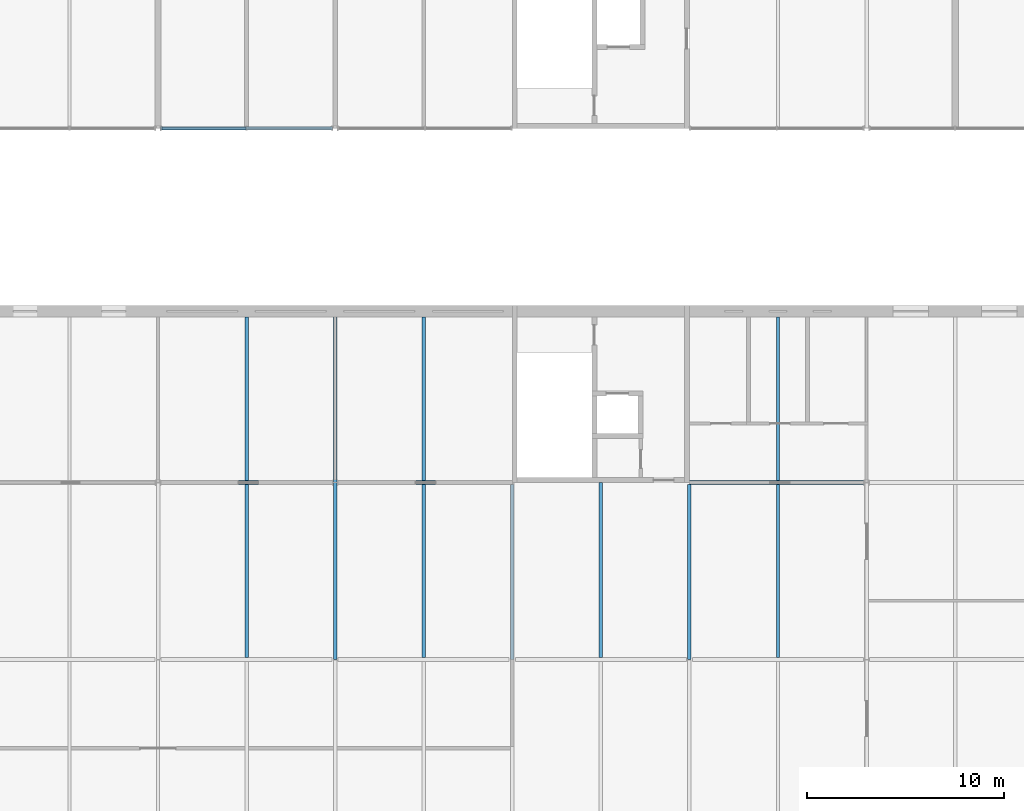
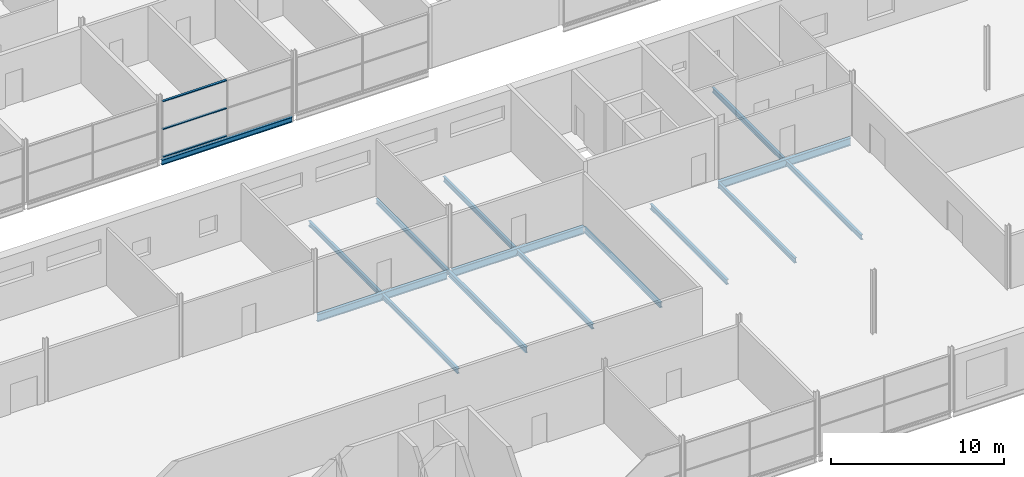
# One storey, part 66 of 138: 15 beams, 3 members, 1 element without a shape of its own.
"""IFC4 building model written with IfcOpenShell, lengths in metres."""

import ifcopenshell
import ifcopenshell.guid

model = None  # the IFC model being written
_history = None  # IfcOwnerHistory: only IFC2X3 demands one
_inside = {}  # id of a spatial element -> (the spatial element, [elements in it])
_under = {}  # id of a project, library or spatial element -> (it, [spatial elements below it])
_declared = {}  # id of a project -> (the project, [libraries it declares])
_typed = {}  # id of a type object -> (the type object, [elements of that type])
_made_of = {}  # id of a material, layer set ... -> (it, [elements and type objects made of it])


def new_model(schema):
    """Start an empty IFC model of exactly this schema.

    Asked for "IFC4X3", IfcOpenShell would pick the latest addendum, in which some entities
    have other attributes; the version numbers below select the first issue.
    IFC2X3 requires an IfcOwnerHistory on every rooted entity: one is made here for all.
    """
    global model, _history
    if schema == "IFC4X3":
        model = ifcopenshell.file(schema_version=(4, 3, 0, 0))
    else:
        model = ifcopenshell.file(schema=schema)
    _inside.clear()
    _under.clear()
    _declared.clear()
    _typed.clear()
    _made_of.clear()
    _history = None
    if model.schema == "IFC2X3":
        org = make("IfcOrganization", Name="unknown")
        user = make(
            "IfcPersonAndOrganization",
            ThePerson=make("IfcPerson", FamilyName="unknown"),
            TheOrganization=org,
        )
        app = make(
            "IfcApplication",
            ApplicationDeveloper=org,
            Version="unknown",
            ApplicationFullName="unknown",
            ApplicationIdentifier="unknown",
        )
        _history = make(
            "IfcOwnerHistory",
            OwningUser=user,
            OwningApplication=app,
            ChangeAction="ADDED",
            CreationDate=0,
        )
    return model


def make(cls, **values):
    """One entity of the class cls with the attributes given. An attribute that is None is left unset."""
    return model.create_entity(
        cls, **{name: value for name, value in values.items() if value is not None}
    )


def rooted(cls, **values):
    """An entity with a GlobalId (a new one), such as an element, a storey or a relation."""
    return make(cls, GlobalId=ifcopenshell.guid.new(), OwnerHistory=_history, **values)


def si_unit(unit_type, name, prefix=None):
    """IfcSIUnit, for example si_unit("LENGTHUNIT", "METRE", prefix="MILLI")."""
    return make("IfcSIUnit", UnitType=unit_type, Prefix=prefix, Name=name)


def assignment(units):
    """IfcUnitAssignment: the units of a project."""
    return None if units is None else make("IfcUnitAssignment", Units=units)


def point(xyz):
    """IfcCartesianPoint."""
    return None if xyz is None else make("IfcCartesianPoint", Coordinates=xyz)


def direction(xyz):
    """IfcDirection."""
    return None if xyz is None else make("IfcDirection", DirectionRatios=xyz)


def frame(location, z_axis=None, x_axis=None):
    """IfcAxis2Placement3D, a coordinate frame: its origin and axes. An axis left out is left unset."""
    return make(
        "IfcAxis2Placement3D",
        Location=point(location),
        Axis=direction(z_axis),
        RefDirection=direction(x_axis),
    )


def frame_2d(location, x_axis=None):
    """IfcAxis2Placement2D, a coordinate frame in the plane: its origin and x axis."""
    return make(
        "IfcAxis2Placement2D", Location=point(location), RefDirection=direction(x_axis)
    )


def origin():
    """The frame at (0, 0, 0) with its axes left unset."""
    return frame((0.0, 0.0, 0.0))


def origin_2d():
    """The frame at (0, 0) in the plane with its x axis left unset."""
    return frame_2d((0.0, 0.0))


def place(relative_to, where):
    """IfcLocalPlacement: puts the frame where relative to a parent placement (None: the world)."""
    return make(
        "IfcLocalPlacement", PlacementRelTo=relative_to, RelativePlacement=where
    )


def context(
    kind, dimensions, precision=None, world=None, true_north=None, identifier=None
):
    """IfcGeometricRepresentationContext, for example the 3D "Model" context."""
    return make(
        "IfcGeometricRepresentationContext",
        ContextIdentifier=identifier,
        ContextType=kind,
        CoordinateSpaceDimension=dimensions,
        Precision=precision,
        WorldCoordinateSystem=world,
        TrueNorth=true_north,
    )


def subcontext(parent, identifier, kind, view, scale=None):
    """IfcGeometricRepresentationSubContext, for example "Body" below "Model"."""
    return make(
        "IfcGeometricRepresentationSubContext",
        ContextIdentifier=identifier,
        ContextType=kind,
        ParentContext=parent,
        TargetScale=scale,
        TargetView=view,
    )


def project(units=None, contexts=None):
    """IfcProject with its units and contexts."""
    return rooted(
        "IfcProject",
        Name="project",
        RepresentationContexts=contexts,
        UnitsInContext=assignment(units),
    )


def spatial(cls, under=None, at=None, **own):
    """A site, building, storey or space (cls), placed at a placement, below another one or the project."""
    s = rooted(cls, ObjectPlacement=at, **own)
    if under is not None:
        _under.setdefault(under.id(), (under, []))[1].append(s)
    return s


def profile(cls, at=None, kind="AREA", **sizes):
    """A parametric profile (cls). Its sizes go by their IFC names, for example OverallWidth=200.0."""
    return make(cls, ProfileType=kind, Position=at, **sizes)


def rectangle(**sizes):
    """IfcRectangleProfileDef."""
    return profile("IfcRectangleProfileDef", **sizes)


def i_section(**sizes):
    """IfcIShapeProfileDef."""
    return profile("IfcIShapeProfileDef", **sizes)


def extrude(swept, where, along, depth):
    """IfcExtrudedAreaSolid: the profile swept, set in the frame where, extruded along a direction by depth."""
    return make(
        "IfcExtrudedAreaSolid",
        SweptArea=swept,
        Position=where,
        ExtrudedDirection=direction(along),
        Depth=depth,
    )


def shape(context_of_items, identifier, shape_type, items):
    """IfcShapeRepresentation: the items that make up one representation, for example the "Body"."""
    return make(
        "IfcShapeRepresentation",
        ContextOfItems=context_of_items,
        RepresentationIdentifier=identifier,
        RepresentationType=shape_type,
        Items=items,
    )


def material(Name=None, Category=None):
    """IfcMaterial."""
    return make("IfcMaterial", Name=Name, Category=Category)


def layer(
    of_material, thickness, ventilated=None, Name=None, Category=None, Priority=None
):
    """IfcMaterialLayer: one layer of a wall or slab, of a material (None: an air gap)."""
    return make(
        "IfcMaterialLayer",
        Material=of_material,
        LayerThickness=thickness,
        IsVentilated=ventilated,
        Name=Name,
        Category=Category,
        Priority=Priority,
    )


def layer_set(layers, Name=None):
    """IfcMaterialLayerSet."""
    return make("IfcMaterialLayerSet", MaterialLayers=layers, LayerSetName=Name)


def material_profile(
    of_material, cross_section, Name=None, Category=None, Priority=None
):
    """IfcMaterialProfile: a cross section and its material."""
    return make(
        "IfcMaterialProfile",
        Name=Name,
        Material=of_material,
        Profile=cross_section,
        Priority=Priority,
        Category=Category,
    )


def profile_set(profiles, Name=None, composite=None):
    """IfcMaterialProfileSet."""
    return make(
        "IfcMaterialProfileSet",
        Name=Name,
        MaterialProfiles=profiles,
        CompositeProfile=composite,
    )


def made_of(thing, what):
    """Note that an element or type object is made of a material, layer set ...; save() writes the relation."""
    if what is not None:
        _made_of.setdefault(what.id(), (what, []))[1].append(thing)
    return thing


def type_object(cls, material=None, **own):
    """A type object (cls), such as IfcWallType, which elements share."""
    return made_of(rooted(cls, **own), material)


def element(
    cls,
    number,
    at=None,
    inside=None,
    cuts=None,
    type_object=None,
    material=None,
    context=None,
    identifier="Body",
    shape_type=None,
    held_by="IfcProductDefinitionShape",
    body=None,
    shapes=None,
    **own,
):
    """One element of the class cls, such as IfcWall. Its Tag is "e" and its number.

    at: its placement. inside: the storey or other place that contains it. cuts: it is an
    opening in that element (IfcRelVoidsElement). A single representation is given by context,
    identifier, shape_type and body (its items); several are given by shapes. held_by: the class
    of the entity that holds the representations. save() writes the other relations.
    """
    e = rooted(cls, Tag="e%d" % number, ObjectPlacement=at, **own)
    if body is not None:
        shapes = [shape(context, identifier, shape_type, body)]
    if shapes is not None:
        e.Representation = make(held_by, Representations=shapes)
    if inside is not None:
        _inside.setdefault(inside.id(), (inside, []))[1].append(e)
    if cuts is not None:
        rooted(
            "IfcRelVoidsElement", RelatingBuildingElement=cuts, RelatedOpeningElement=e
        )
    if type_object is not None:
        _typed.setdefault(type_object.id(), (type_object, []))[1].append(e)
    return made_of(e, material)


def aggregate(whole, parts):
    """IfcRelAggregates: a whole, such as a stair, and the parts it consists of."""
    return rooted("IfcRelAggregates", RelatingObject=whole, RelatedObjects=parts)


def save(model, path):
    """Write the relations noted so far, then the file.

    IfcRelAggregates (storeys below a building ...), IfcRelContainedInSpatialStructure (elements
    in a storey), IfcRelDefinesByType, IfcRelAssociatesMaterial and IfcRelDeclares: one each for
    every whole, place, type object, material and project.
    """
    for whole, parts in _under.values():
        aggregate(whole, parts)
    for where, things in _inside.values():
        rooted(
            "IfcRelContainedInSpatialStructure",
            RelatedElements=things,
            RelatingStructure=where,
        )
    for kind, things in _typed.values():
        rooted("IfcRelDefinesByType", RelatedObjects=things, RelatingType=kind)
    for what, things in _made_of.values():
        rooted("IfcRelAssociatesMaterial", RelatedObjects=things, RelatingMaterial=what)
    for by, libraries in _declared.values():
        rooted("IfcRelDeclares", RelatingContext=by, RelatedDefinitions=libraries)
    model.write(path)


model = new_model("IFC4")

# Units and contexts
model_context = context("Model", 3, precision=1e-05, world=origin(), true_north=direction((0.0, 1.0)))
body_context = subcontext(model_context, "Body", "Model", "MODEL_VIEW")
ifc_project = project(units=[si_unit("LENGTHUNIT", "METRE"), si_unit("AREAUNIT", "SQUARE_METRE"), si_unit("VOLUMEUNIT", "CUBIC_METRE"), si_unit("PLANEANGLEUNIT", "RADIAN"), si_unit("MASSUNIT", "GRAM", prefix="KILO")], contexts=[model_context])

# Site, building, storey
site_placement = place(None, origin())
site = spatial("IfcSite", under=ifc_project, at=site_placement, CompositionType="ELEMENT")
building_placement = place(site_placement, origin())
building = spatial("IfcBuilding", under=site, at=building_placement, Name="Corbel Yard City Hall", CompositionType="ELEMENT")
storey_placement = place(building_placement, frame((0.0, 0.0, 10.5)))
storey = spatial("IfcBuildingStorey", under=building, at=storey_placement, Name="L02", CompositionType="ELEMENT", Elevation=10.5)

# Beams
ifc_material_1 = material(Name="Steel Grade 300 (300 MPa yield)", Category="steel")
ifc_material_profile_1 = material_profile(ifc_material_1, i_section(OverallWidth=0.1708984375, OverallDepth=0.35205078125, WebThickness=0.0068359375, FlangeThickness=0.009765625, at=origin_2d()), Name="360UB44.7")
ifc_profile_set_1 = profile_set([ifc_material_profile_1], Name="Steel Grade 300 (300 MPa yield)")
beam_type_1 = type_object("IfcBeamType", Name="Beam 360UB44.7", PredefinedType="BEAM", material=ifc_profile_set_1)
beam_1_placement = place(storey_placement, frame((72.0, 72.005859375, -0.325927734375), z_axis=(0.0, 1.0, 0.0), x_axis=(-1.0, 0.0, 0.0)))
element("IfcBeam", 1, at=beam_1_placement, inside=storey, type_object=beam_type_1, Name="Beam 360UB44.7 SB13 L02floor", PredefinedType="BEAM", context=body_context, shape_type="SweptSolid", body=[
    extrude(i_section(OverallWidth=0.1708984375, OverallDepth=0.35205078125, WebThickness=0.0068359375, FlangeThickness=0.009765625, at=origin_2d()), origin(), (0.0, 0.0, 1.0), 8.39404296875),
])
ifc_material_profile_2 = material_profile(ifc_material_1, i_section(OverallWidth=0.1708984375, OverallDepth=0.35595703125, WebThickness=0.00732421875, FlangeThickness=0.011474609375, at=origin_2d()), Name="360UB50.7")
ifc_profile_set_2 = profile_set([ifc_material_profile_2], Name="Steel Grade 300 (300 MPa yield)")
beam_type_2 = type_object("IfcBeamType", Name="Beam 360UB50.7", PredefinedType="BEAM", material=ifc_profile_set_2)
for number, where, z_axis, x_axis, name in (
    (2, (81.0, 63.005859375, -0.327880859375), (0.0, 1.0, 0.0), (-1.0, 0.0, 0.0), "Beam 360UB50.7 SB14 L02floor"),
    (3, (90.0, 63.005859375, -0.327880859375), (0.0, 1.0, 0.0), (-1.0, 0.0, 0.0), "Beam 360UB50.7 SB14 L02floor"),
):
    element("IfcBeam", number, at=place(storey_placement, frame(where, z_axis=z_axis, x_axis=x_axis)), inside=storey, type_object=beam_type_2, Name=name, PredefinedType="BEAM", context=body_context, shape_type="SweptSolid", body=[
        extrude(i_section(OverallWidth=0.1708984375, OverallDepth=0.35595703125, WebThickness=0.00732421875, FlangeThickness=0.011474609375, at=origin_2d()), origin(), (0.0, 0.0, 1.0), 8.8896484375),
    ])
ifc_material_profile_3 = material_profile(ifc_material_1, i_section(OverallWidth=0.177978515625, OverallDepth=0.403076171875, WebThickness=0.007568359375, FlangeThickness=0.010986328125, at=origin_2d()), Name="410UB53.7")
ifc_profile_set_3 = profile_set([ifc_material_profile_3], Name="Steel Grade 300 (300 MPa yield)")
beam_type_3 = type_object("IfcBeamType", Name="Beam 410UB53.7", PredefinedType="BEAM", material=ifc_profile_set_3)
beam_2_placement = place(storey_placement, frame((72.0, 63.005859375, -0.3515625), z_axis=(0.0, 1.0, 0.0), x_axis=(-1.0, 0.0, 0.0)))
element("IfcBeam", 4, at=beam_2_placement, inside=storey, type_object=beam_type_3, Name="Beam 410UB53.7 SB6 L02floor", PredefinedType="BEAM", context=body_context, shape_type="SweptSolid", body=[
    extrude(i_section(OverallWidth=0.177978515625, OverallDepth=0.403076171875, WebThickness=0.007568359375, FlangeThickness=0.010986328125, at=origin_2d()), origin(), (0.0, 0.0, 1.0), 8.98828125),
])
ifc_material_profile_4 = material_profile(ifc_material_1, i_section(OverallWidth=0.172119140625, OverallDepth=0.35888671875, WebThickness=0.008056640625, FlangeThickness=0.012939453125, at=origin_2d()), Name="360UB56.7")
ifc_profile_set_4 = profile_set([ifc_material_profile_4], Name="Steel Grade 300 (300 MPa yield)")
beam_type_4 = type_object("IfcBeamType", Name="Edge beam 360UB56.7", PredefinedType="BEAM", material=ifc_profile_set_4)
beam_3_placement = place(storey_placement, frame((63.1298828125, 90.0, -0.32958984375), z_axis=(1.0, 0.0, 0.0), x_axis=(0.0, 1.0, 0.0)))
element("IfcBeam", 5, at=beam_3_placement, inside=storey, type_object=beam_type_4, Name="Edge beam 360UB56.7 EB4 L02floor", PredefinedType="BEAM", context=body_context, shape_type="SweptSolid", body=[
    extrude(i_section(OverallWidth=0.172119140625, OverallDepth=0.35888671875, WebThickness=0.008056640625, FlangeThickness=0.012939453125, at=origin_2d()), origin(), (0.0, 0.0, 1.0), 8.740234375),
])
ifc_material_profile_5 = material_profile(ifc_material_1, i_section(OverallWidth=0.208984375, OverallDepth=0.528076171875, WebThickness=0.009521484375, FlangeThickness=0.01318359375, at=origin_2d()), Name="530UB82.0")
ifc_profile_set_5 = profile_set([ifc_material_profile_5], Name="Steel Grade 300 (300 MPa yield)")
beam_type_5 = type_object("IfcBeamType", Name="Girder 530UB82.0", PredefinedType="BEAM", material=ifc_profile_set_5)
beam_4_placement = place(storey_placement, frame((63.157470703125, 72.0, -0.4140625), z_axis=(1.0, 0.0, 0.0), x_axis=(0.0, 1.0, 0.0)))
element("IfcBeam", 6, at=beam_4_placement, inside=storey, type_object=beam_type_5, Name="Girder 530UB82.0 GB3 L02floor", PredefinedType="BEAM", context=body_context, shape_type="SweptSolid", body=[
    extrude(i_section(OverallWidth=0.208984375, OverallDepth=0.528076171875, WebThickness=0.009521484375, FlangeThickness=0.01318359375, at=origin_2d()), origin(), (0.0, 0.0, 1.0), 8.68505859375),
])
for number, where, z_axis, x_axis, name in (
    (7, (72.157470703125, 72.0, -0.4140625), (1.0, 0.0, 0.0), (0.0, 1.0, 0.0), "Girder 530UB82.0 GB3 L02floor"),
    (8, (90.0, 72.0, -0.4140625), (1.0, 0.0, 0.0), (0.0, 1.0, 0.0), "Girder 530UB82.0 GB3 L02floor"),
):
    element("IfcBeam", number, at=place(storey_placement, frame(where, z_axis=z_axis, x_axis=x_axis)), inside=storey, type_object=beam_type_5, Name=name, PredefinedType="BEAM", context=body_context, shape_type="SweptSolid", body=[
        extrude(i_section(OverallWidth=0.208984375, OverallDepth=0.528076171875, WebThickness=0.009521484375, FlangeThickness=0.01318359375, at=origin_2d()), origin(), (0.0, 0.0, 1.0), 8.842529296875),
    ])
ifc_material_profile_6 = material_profile(ifc_material_1, i_section(OverallWidth=0.1708984375, OverallDepth=0.35205078125, WebThickness=0.0068359375, FlangeThickness=0.009765625, at=origin_2d()), Name="360UB44.7")
ifc_profile_set_6 = profile_set([ifc_material_profile_6], Name="Steel Grade 300 (300 MPa yield)")
beam_type_6 = type_object("IfcBeamType", Name="Secondary beam 360UB44.7", PredefinedType="JOIST", material=ifc_profile_set_6)
beam_5_placement = place(storey_placement, frame((67.5, 63.1044921875, -0.325927734375), z_axis=(0.0, 1.0, 0.0), x_axis=(-1.0, 0.0, 0.0)))
element("IfcBeam", 9, at=beam_5_placement, inside=storey, type_object=beam_type_6, Name="Secondary beam 360UB44.7 SB11 L02floor", PredefinedType="JOIST", context=body_context, shape_type="SweptSolid", body=[
    extrude(i_section(OverallWidth=0.1708984375, OverallDepth=0.35205078125, WebThickness=0.0068359375, FlangeThickness=0.009765625, at=origin_2d()), origin(), (0.0, 0.0, 1.0), 8.791015625),
])
beam_6_placement = place(storey_placement, frame((67.5, 72.1044921875, -0.325927734375), z_axis=(0.0, 1.0, 0.0), x_axis=(-1.0, 0.0, 0.0)))
element("IfcBeam", 10, at=beam_6_placement, inside=storey, type_object=beam_type_6, Name="Secondary beam 360UB44.7 SB11 L02floor", PredefinedType="JOIST", context=body_context, shape_type="SweptSolid", body=[
    extrude(i_section(OverallWidth=0.1708984375, OverallDepth=0.35205078125, WebThickness=0.0068359375, FlangeThickness=0.009765625, at=origin_2d()), origin(), (0.0, 0.0, 1.0), 8.29541015625),
])
beam_7_placement = place(storey_placement, frame((76.5, 63.1044921875, -0.325927734375), z_axis=(0.0, 1.0, 0.0), x_axis=(-1.0, 0.0, 0.0)))
element("IfcBeam", 11, at=beam_7_placement, inside=storey, type_object=beam_type_6, Name="Secondary beam 360UB44.7 SB11 L02floor", PredefinedType="JOIST", context=body_context, shape_type="SweptSolid", body=[
    extrude(i_section(OverallWidth=0.1708984375, OverallDepth=0.35205078125, WebThickness=0.0068359375, FlangeThickness=0.009765625, at=origin_2d()), origin(), (0.0, 0.0, 1.0), 8.791015625),
])
beam_8_placement = place(storey_placement, frame((76.5, 72.1044921875, -0.325927734375), z_axis=(0.0, 1.0, 0.0), x_axis=(-1.0, 0.0, 0.0)))
element("IfcBeam", 12, at=beam_8_placement, inside=storey, type_object=beam_type_6, Name="Secondary beam 360UB44.7 SB11 L02floor", PredefinedType="JOIST", context=body_context, shape_type="SweptSolid", body=[
    extrude(i_section(OverallWidth=0.1708984375, OverallDepth=0.35205078125, WebThickness=0.0068359375, FlangeThickness=0.009765625, at=origin_2d()), origin(), (0.0, 0.0, 1.0), 8.29541015625),
])
beam_9_placement = place(storey_placement, frame((94.5, 63.1044921875, -0.325927734375), z_axis=(0.0, 1.0, 0.0), x_axis=(-1.0, 0.0, 0.0)))
element("IfcBeam", 13, at=beam_9_placement, inside=storey, type_object=beam_type_6, Name="Secondary beam 360UB44.7 SB11 L02floor", PredefinedType="JOIST", context=body_context, shape_type="SweptSolid", body=[
    extrude(i_section(OverallWidth=0.1708984375, OverallDepth=0.35205078125, WebThickness=0.0068359375, FlangeThickness=0.009765625, at=origin_2d()), origin(), (0.0, 0.0, 1.0), 8.791015625),
])
beam_10_placement = place(storey_placement, frame((94.5, 72.1044921875, -0.325927734375), z_axis=(0.0, 1.0, 0.0), x_axis=(-1.0, 0.0, 0.0)))
element("IfcBeam", 14, at=beam_10_placement, inside=storey, type_object=beam_type_6, Name="Secondary beam 360UB44.7 SB11 L02floor", PredefinedType="JOIST", context=body_context, shape_type="SweptSolid", body=[
    extrude(i_section(OverallWidth=0.1708984375, OverallDepth=0.35205078125, WebThickness=0.0068359375, FlangeThickness=0.009765625, at=origin_2d()), origin(), (0.0, 0.0, 1.0), 8.29541015625),
])
ifc_material_profile_7 = material_profile(ifc_material_1, i_section(OverallWidth=0.1708984375, OverallDepth=0.35595703125, WebThickness=0.00732421875, FlangeThickness=0.011474609375, at=origin_2d()), Name="360UB50.7")
ifc_profile_set_7 = profile_set([ifc_material_profile_7], Name="Steel Grade 300 (300 MPa yield)")
beam_type_7 = type_object("IfcBeamType", Name="Secondary beam 360UB50.7", PredefinedType="JOIST", material=ifc_profile_set_7)
beam_11_placement = place(storey_placement, frame((85.5, 63.1044921875, -0.327880859375), z_axis=(0.0, 1.0, 0.0), x_axis=(-1.0, 0.0, 0.0)))
element("IfcBeam", 15, at=beam_11_placement, inside=storey, type_object=beam_type_7, Name="Secondary beam 360UB50.7 SB10 L02floor", PredefinedType="JOIST", context=body_context, shape_type="SweptSolid", body=[
    extrude(i_section(OverallWidth=0.1708984375, OverallDepth=0.35595703125, WebThickness=0.00732421875, FlangeThickness=0.011474609375, at=origin_2d()), origin(), (0.0, 0.0, 1.0), 8.8955078125),
])

# Curtain wall, members
ifc_material_2 = material(Name="Aluminium extrusion", Category="aluminium")
ifc_layer = layer(ifc_material_2, 0.199951171875)
ifc_layer_set = layer_set([ifc_layer], Name="Aluminium extrusion")
curtain_wall_type = type_object("IfcCurtainWallType", Name="CW1", PredefinedType="USERDEFINED", material=ifc_layer_set)
curtain_wall_placement = place(storey_placement, origin())
curtain_wall = element("IfcCurtainWall", 16, at=curtain_wall_placement, inside=storey, type_object=curtain_wall_type, Name="Curtain wall CW1 L02", ObjectType="CURTAIN WALL", PredefinedType="USERDEFINED")
ifc_material_profile_8 = material_profile(ifc_material_2, rectangle(XDim=0.14990234375, YDim=0.06494140625, at=origin_2d()), Name="150x65")
ifc_profile_set_8 = profile_set([ifc_material_profile_8], Name="Aluminium extrusion")
member_type = type_object("IfcMemberType", Name="TR1", PredefinedType="USERDEFINED", material=ifc_profile_set_8)
member_1_placement = place(storey_placement, frame((63.19189453125, 90.0, 0.032470703125), z_axis=(1.0, 0.0, 0.0), x_axis=(0.0, 1.0, 0.0)))
member_1 = element("IfcMember", 17, at=member_1_placement, type_object=member_type, Name="CW1 transom 1.1", ObjectType="TRANSOM", PredefinedType="USERDEFINED", context=body_context, shape_type="SweptSolid", body=[
    extrude(rectangle(XDim=0.14990234375, YDim=0.06494140625, at=origin_2d()), origin(), (0.0, 0.0, 1.0), 4.275634765625),
])
member_2_placement = place(storey_placement, frame((63.19189453125, 90.0, 1.99560546875), z_axis=(1.0, 0.0, 0.0), x_axis=(0.0, 1.0, 0.0)))
member_2 = element("IfcMember", 18, at=member_2_placement, type_object=member_type, Name="CW1 transom 1.2", ObjectType="TRANSOM", PredefinedType="USERDEFINED", context=body_context, shape_type="SweptSolid", body=[
    extrude(rectangle(XDim=0.14990234375, YDim=0.06494140625, at=origin_2d()), origin(), (0.0, 0.0, 1.0), 4.275634765625),
])
member_3_placement = place(storey_placement, frame((63.19189453125, 90.0, 3.95849609375), z_axis=(1.0, 0.0, 0.0), x_axis=(0.0, 1.0, 0.0)))
member_3 = element("IfcMember", 19, at=member_3_placement, type_object=member_type, Name="CW1 transom 1.3", ObjectType="TRANSOM", PredefinedType="USERDEFINED", context=body_context, shape_type="SweptSolid", body=[
    extrude(rectangle(XDim=0.14990234375, YDim=0.06494140625, at=origin_2d()), origin(), (0.0, 0.0, 1.0), 4.275634765625),
])
aggregate(curtain_wall, [member_1, member_2, member_3])

save(model, "model.ifc")
